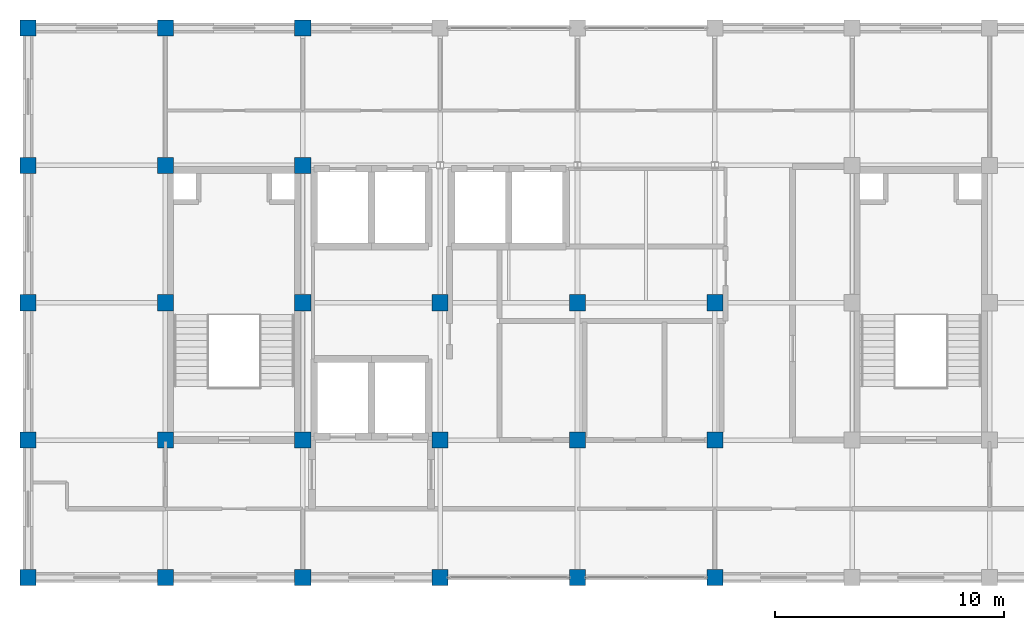
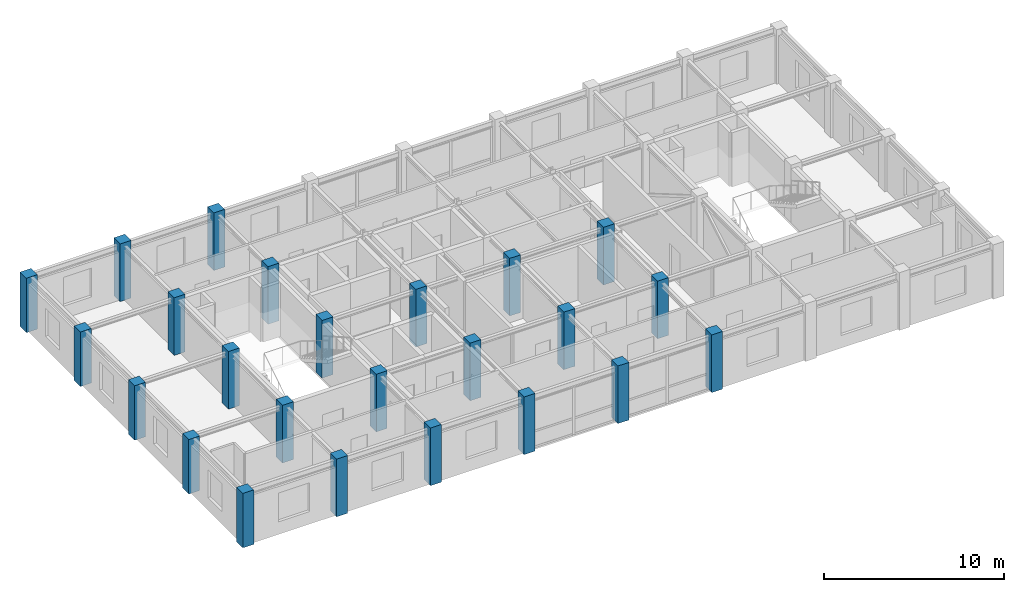
# One storey, part 1 of 11: 24 columns.
"""IFC4 building model written with IfcOpenShell, lengths in metres."""

from ifc_helpers import new_model, si_unit, direction, frame, origin, origin_2d, place, context, subcontext, project, spatial, rectangle, extrude, material, material_profile, profile_set, type_object, element, save


model = new_model("IFC4")

# Units and contexts
model_context = context("Model", 3, precision=1e-05, world=origin(), true_north=direction((0.0, 1.0)))
body_context = subcontext(model_context, "Body", "Model", "MODEL_VIEW")
ifc_project = project(units=[si_unit("LENGTHUNIT", "METRE"), si_unit("AREAUNIT", "SQUARE_METRE"), si_unit("VOLUMEUNIT", "CUBIC_METRE"), si_unit("PLANEANGLEUNIT", "RADIAN"), si_unit("MASSUNIT", "GRAM", prefix="KILO")], contexts=[model_context])

# Site, building, storey
site_placement = place(None, origin())
site = spatial("IfcSite", under=ifc_project, at=site_placement, CompositionType="ELEMENT")
building_placement = place(site_placement, origin())
building = spatial("IfcBuilding", under=site, at=building_placement, Name="Zlatovratsky Civic Hall", CompositionType="ELEMENT")
storey_placement = place(building_placement, frame((0.0, 0.0, 63.89990234375)))
storey = spatial("IfcBuildingStorey", under=building, at=storey_placement, Name="L16", CompositionType="ELEMENT", Elevation=63.89990234375)

# Columns
ifc_material = material(Name="Concrete C35/45 (B40)", Category="concrete")
ifc_material_profile = material_profile(ifc_material, rectangle(XDim=0.699951171875, YDim=0.699951171875, at=origin_2d()), Name="RC 700x700")
ifc_profile_set = profile_set([ifc_material_profile], Name="Concrete C35/45 (B40)")
column_type = type_object("IfcColumnType", Name="Col_CorePier_RC700", PredefinedType="COLUMN", material=ifc_profile_set)
column_1_placement = place(storey_placement, frame((60.0, 78.0, 0.0), z_axis=(0.0, 0.0, 1.0), x_axis=(1.0, 0.0, 0.0)))
element("IfcColumn", 1, at=column_1_placement, inside=storey, type_object=column_type, Name="CL-2600", PredefinedType="COLUMN", context=body_context, shape_type="SweptSolid", body=[
    extrude(rectangle(XDim=0.699951171875, YDim=0.699951171875, at=origin_2d()), origin(), (0.0, 0.0, 1.0), 3.68017578125),
])
for number, where, z_axis, x_axis, name in (
    (2, (66.0, 78.0, 0.0), (0.0, 0.0, 1.0), (1.0, 0.0, 0.0), "CL-2601"),
    (3, (72.0, 78.0, 0.0), (0.0, 0.0, 1.0), (1.0, 0.0, 0.0), "CL-2602"),
    (4, (78.0, 78.0, 0.0), (0.0, 0.0, 1.0), (1.0, 0.0, 0.0), "CL-2603"),
    (5, (84.0, 78.0, 0.0), (0.0, 0.0, 1.0), (1.0, 0.0, 0.0), "CL-2604"),
    (6, (90.0, 78.0, 0.0), (0.0, 0.0, 1.0), (1.0, 0.0, 0.0), "CL-2605"),
):
    element("IfcColumn", number, at=place(storey_placement, frame(where, z_axis=z_axis, x_axis=x_axis)), inside=storey, type_object=column_type, Name=name, PredefinedType="COLUMN", context=body_context, shape_type="SweptSolid", body=[
        extrude(rectangle(XDim=0.699951171875, YDim=0.699951171875, at=origin_2d()), origin(), (0.0, 0.0, 1.0), 3.900146484375),
    ])
column_2_placement = place(storey_placement, frame((60.0, 84.0, 0.0), z_axis=(0.0, 0.0, 1.0), x_axis=(1.0, 0.0, 0.0)))
element("IfcColumn", 7, at=column_2_placement, inside=storey, type_object=column_type, Name="CL-2609", PredefinedType="COLUMN", context=body_context, shape_type="SweptSolid", body=[
    extrude(rectangle(XDim=0.699951171875, YDim=0.699951171875, at=origin_2d()), origin(), (0.0, 0.0, 1.0), 3.68017578125),
])
for number, where, z_axis, x_axis, name in (
    (8, (66.0, 84.0, 0.0), (0.0, 0.0, 1.0), (1.0, 0.0, 0.0), "CL-2610"),
    (9, (72.0, 84.0, 0.0), (0.0, 0.0, 1.0), (1.0, 0.0, 0.0), "CL-2611"),
    (10, (78.0, 84.0, 0.0), (0.0, 0.0, 1.0), (1.0, 0.0, 0.0), "CL-2612"),
    (11, (84.0, 84.0, 0.0), (0.0, 0.0, 1.0), (1.0, 0.0, 0.0), "CL-2613"),
    (12, (90.0, 84.0, 0.0), (0.0, 0.0, 1.0), (1.0, 0.0, 0.0), "CL-2614"),
):
    element("IfcColumn", number, at=place(storey_placement, frame(where, z_axis=z_axis, x_axis=x_axis)), inside=storey, type_object=column_type, Name=name, PredefinedType="COLUMN", context=body_context, shape_type="SweptSolid", body=[
        extrude(rectangle(XDim=0.699951171875, YDim=0.699951171875, at=origin_2d()), origin(), (0.0, 0.0, 1.0), 3.900146484375),
    ])
column_3_placement = place(storey_placement, frame((60.0, 90.0, 0.0), z_axis=(0.0, 0.0, 1.0), x_axis=(1.0, 0.0, 0.0)))
element("IfcColumn", 13, at=column_3_placement, inside=storey, type_object=column_type, Name="CL-2618", PredefinedType="COLUMN", context=body_context, shape_type="SweptSolid", body=[
    extrude(rectangle(XDim=0.699951171875, YDim=0.699951171875, at=origin_2d()), origin(), (0.0, 0.0, 1.0), 3.68017578125),
])
for number, where, z_axis, x_axis, name in (
    (14, (66.0, 90.0, 0.0), (0.0, 0.0, 1.0), (1.0, 0.0, 0.0), "CL-2619"),
    (15, (72.0, 90.0, 0.0), (0.0, 0.0, 1.0), (1.0, 0.0, 0.0), "CL-2620"),
    (16, (78.0, 90.0, 0.0), (0.0, 0.0, 1.0), (1.0, 0.0, 0.0), "CL-2621"),
    (17, (84.0, 90.0, 0.0), (0.0, 0.0, 1.0), (1.0, 0.0, 0.0), "CL-2622"),
    (18, (90.0, 90.0, 0.0), (0.0, 0.0, 1.0), (1.0, 0.0, 0.0), "CL-2623"),
):
    element("IfcColumn", number, at=place(storey_placement, frame(where, z_axis=z_axis, x_axis=x_axis)), inside=storey, type_object=column_type, Name=name, PredefinedType="COLUMN", context=body_context, shape_type="SweptSolid", body=[
        extrude(rectangle(XDim=0.699951171875, YDim=0.699951171875, at=origin_2d()), origin(), (0.0, 0.0, 1.0), 3.900146484375),
    ])
column_4_placement = place(storey_placement, frame((60.0, 96.0, 0.0), z_axis=(0.0, 0.0, 1.0), x_axis=(1.0, 0.0, 0.0)))
element("IfcColumn", 19, at=column_4_placement, inside=storey, type_object=column_type, Name="CL-2627", PredefinedType="COLUMN", context=body_context, shape_type="SweptSolid", body=[
    extrude(rectangle(XDim=0.699951171875, YDim=0.699951171875, at=origin_2d()), origin(), (0.0, 0.0, 1.0), 3.68017578125),
])
for number, where, z_axis, x_axis, name in (
    (20, (66.0, 96.0, 0.0), (0.0, 0.0, 1.0), (1.0, 0.0, 0.0), "CL-2628"),
    (21, (72.0, 96.0, 0.0), (0.0, 0.0, 1.0), (1.0, 0.0, 0.0), "CL-2629"),
):
    element("IfcColumn", number, at=place(storey_placement, frame(where, z_axis=z_axis, x_axis=x_axis)), inside=storey, type_object=column_type, Name=name, PredefinedType="COLUMN", context=body_context, shape_type="SweptSolid", body=[
        extrude(rectangle(XDim=0.699951171875, YDim=0.699951171875, at=origin_2d()), origin(), (0.0, 0.0, 1.0), 3.900146484375),
    ])
column_5_placement = place(storey_placement, frame((60.0, 102.0, 0.0), z_axis=(0.0, 0.0, 1.0), x_axis=(1.0, 0.0, 0.0)))
element("IfcColumn", 22, at=column_5_placement, inside=storey, type_object=column_type, Name="CL-2636", PredefinedType="COLUMN", context=body_context, shape_type="SweptSolid", body=[
    extrude(rectangle(XDim=0.699951171875, YDim=0.699951171875, at=origin_2d()), origin(), (0.0, 0.0, 1.0), 3.68017578125),
])
for number, where, z_axis, x_axis, name in (
    (23, (66.0, 102.0, 0.0), (0.0, 0.0, 1.0), (1.0, 0.0, 0.0), "CL-2637"),
    (24, (72.0, 102.0, 0.0), (0.0, 0.0, 1.0), (1.0, 0.0, 0.0), "CL-2638"),
):
    element("IfcColumn", number, at=place(storey_placement, frame(where, z_axis=z_axis, x_axis=x_axis)), inside=storey, type_object=column_type, Name=name, PredefinedType="COLUMN", context=body_context, shape_type="SweptSolid", body=[
        extrude(rectangle(XDim=0.699951171875, YDim=0.699951171875, at=origin_2d()), origin(), (0.0, 0.0, 1.0), 3.900146484375),
    ])

save(model, "model.ifc")
